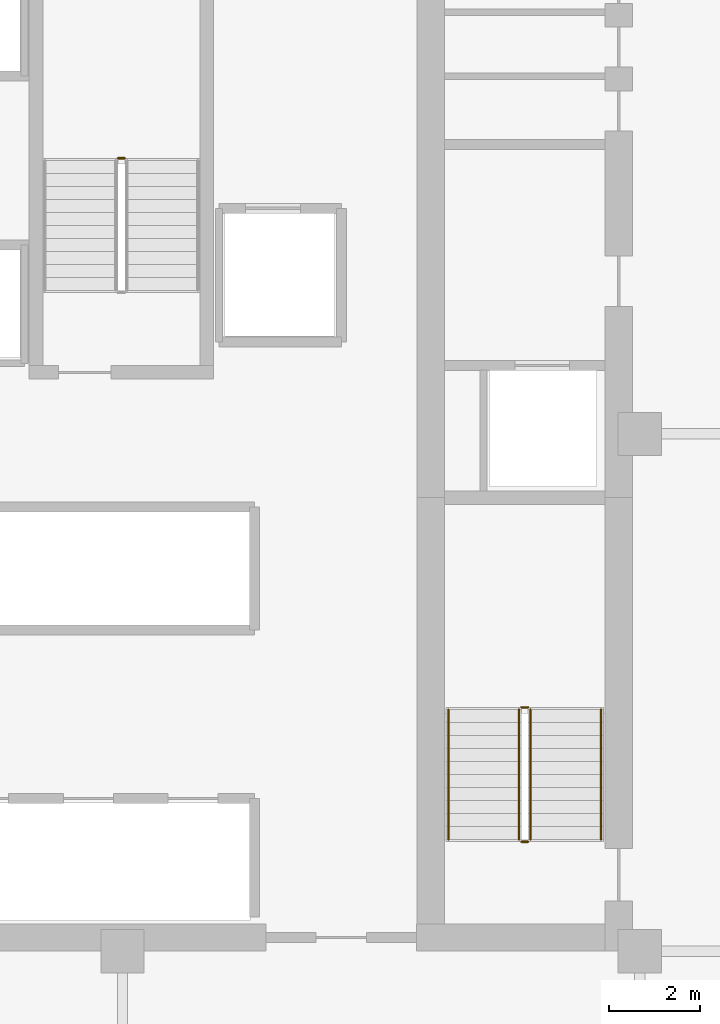
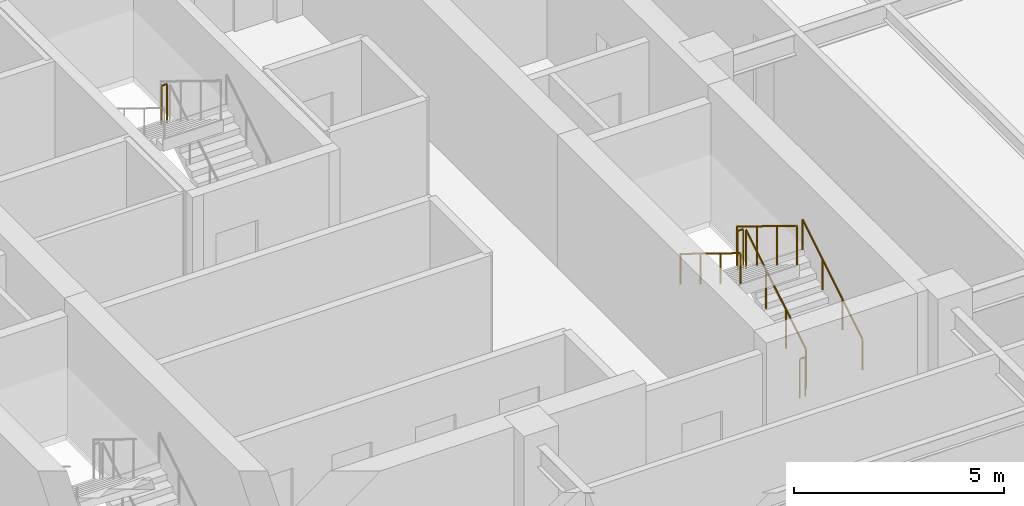
# One storey, part 14 of 14: 7 railings.
"""IFC4 building model written with IfcOpenShell, lengths in metres."""

from ifc_helpers import new_model, si_unit, direction, frame, origin, origin_2d, place, context, subcontext, project, spatial, circle, extrude, material, type_object, element, save


model = new_model("IFC4")

# Units and contexts
model_context = context("Model", 3, precision=1e-05, world=origin(), true_north=direction((0.0, 1.0)))
body_context = subcontext(model_context, "Body", "Model", "MODEL_VIEW")
ifc_project = project(units=[si_unit("LENGTHUNIT", "METRE"), si_unit("AREAUNIT", "SQUARE_METRE"), si_unit("VOLUMEUNIT", "CUBIC_METRE"), si_unit("PLANEANGLEUNIT", "RADIAN"), si_unit("MASSUNIT", "GRAM", prefix="KILO")], contexts=[model_context])

# Site, building, storey
site_placement = place(None, origin())
site = spatial("IfcSite", under=ifc_project, at=site_placement, CompositionType="ELEMENT")
building_placement = place(site_placement, origin())
building = spatial("IfcBuilding", under=site, at=building_placement, Name="Nhamokura Convention Tower", CompositionType="ELEMENT")
storey_placement = place(building_placement, frame((0.0, 0.0, 172.199951171875)))
storey = spatial("IfcBuildingStorey", under=building, at=storey_placement, Name="L42", CompositionType="ELEMENT", Elevation=172.199951171875)

# Railings
ifc_material_1 = material(Name="Anodised bronze stainless steel", Category="steel")
railing_type_1 = type_object("IfcRailingType", Name="StairWallHandrail_900", PredefinedType="HANDRAIL", material=ifc_material_1)
railing_1_placement = place(storey_placement, frame((42.5, 23.10009765625, 0.175048828125)))
element("IfcRailing", 1, at=railing_1_placement, inside=storey, type_object=railing_type_1, Name="L42 ST-02 stair handrail 1", PredefinedType="HANDRAIL", context=body_context, shape_type="SweptSolid", body=[
    extrude(circle(Radius=0.02392578125, at=origin_2d()), frame((0.0, 0.0, 0.8759765625), z_axis=(0.0, 0.852159232446, 0.523282564737), x_axis=(-1.0, 0.0, 0.0)), (0.0, 0.0, 1.0), 3.34423828125),
    extrude(circle(Radius=0.02099609375, at=origin_2d()), origin(), (0.0, 0.0, 1.0), 0.851806640625),
    extrude(circle(Radius=0.02099609375, at=origin_2d()), frame((0.0, 0.949951171875, 0.583251953125)), (0.0, 0.0, 1.0), 0.851806640625),
    extrude(circle(Radius=0.02099609375, at=origin_2d()), frame((0.0, 1.89990234375, 1.166748046875)), (0.0, 0.0, 1.0), 0.851806640625),
    extrude(circle(Radius=0.02099609375, at=origin_2d()), frame((0.0, 2.849853515625, 1.75)), (0.0, 0.0, 1.0), 0.851806640625),
])
railing_2_placement = place(storey_placement, frame((39.14990234375, 25.949951171875, 2.10009765625)))
element("IfcRailing", 2, at=railing_2_placement, inside=storey, type_object=railing_type_1, Name="L42 ST-02 stair handrail 2", PredefinedType="HANDRAIL", context=body_context, shape_type="SweptSolid", body=[
    extrude(circle(Radius=0.02392578125, at=origin_2d()), frame((0.0, 0.0, 0.8759765625), z_axis=(0.0, -0.852159232446, 0.523282564737), x_axis=(1.0, 0.0, 0.0)), (0.0, 0.0, 1.0), 3.34423828125),
    extrude(circle(Radius=0.02099609375, at=origin_2d()), origin(), (0.0, 0.0, 1.0), 0.851806640625),
    extrude(circle(Radius=0.02099609375, at=origin_2d()), frame((0.0, -0.949951171875, 0.583251953125)), (0.0, 0.0, 1.0), 0.851806640625),
    extrude(circle(Radius=0.02099609375, at=origin_2d()), frame((0.0, -1.89990234375, 1.166748046875)), (0.0, 0.0, 1.0), 0.851806640625),
    extrude(circle(Radius=0.02099609375, at=origin_2d()), frame((0.0, -2.849853515625, 1.75)), (0.0, 0.0, 1.0), 0.851806640625),
])
ifc_material_2 = material(Name="Painted tubular steel", Category="steel")
railing_type_2 = type_object("IfcRailingType", Name="StairWellGuardrail_1150", PredefinedType="GUARDRAIL", material=ifc_material_2)
railing_3_placement = place(storey_placement, frame((40.949951171875, 23.10009765625, 0.175048828125)))
element("IfcRailing", 3, at=railing_3_placement, inside=storey, type_object=railing_type_2, Name="L42 ST-02 stair guard 1", PredefinedType="GUARDRAIL", context=body_context, shape_type="SweptSolid", body=[
    extrude(circle(Radius=0.02392578125, at=origin_2d()), frame((0.0, 0.0, 1.1259765625), z_axis=(0.0, 0.852159232446, 0.523282564737), x_axis=(-1.0, 0.0, 0.0)), (0.0, 0.0, 1.0), 3.34423828125),
    extrude(circle(Radius=0.02099609375, at=origin_2d()), origin(), (0.0, 0.0, 1.0), 1.101806640625),
    extrude(circle(Radius=0.02099609375, at=origin_2d()), frame((0.0, 0.949951171875, 0.583251953125)), (0.0, 0.0, 1.0), 1.101806640625),
    extrude(circle(Radius=0.02099609375, at=origin_2d()), frame((0.0, 1.89990234375, 1.166748046875)), (0.0, 0.0, 1.0), 1.101806640625),
    extrude(circle(Radius=0.02099609375, at=origin_2d()), frame((0.0, 2.849853515625, 1.75)), (0.0, 0.0, 1.0), 1.101806640625),
])
railing_4_placement = place(storey_placement, frame((40.89990234375, 26.0, 1.925048828125)))
element("IfcRailing", 4, at=railing_4_placement, inside=storey, type_object=railing_type_2, Name="L42 ST-02 stair guard 2", PredefinedType="GUARDRAIL", context=body_context, shape_type="SweptSolid", body=[
    extrude(circle(Radius=0.02392578125, at=origin_2d()), frame((0.0, 0.0, 1.1259765625), z_axis=(-1.0, 0.0, 0.0), x_axis=(0.0, -1.0, 0.0)), (0.0, 0.0, 1.0), 0.14990234375),
    extrude(circle(Radius=0.02099609375, at=origin_2d()), origin(), (0.0, 0.0, 1.0), 1.101806640625),
    extrude(circle(Radius=0.02099609375, at=origin_2d()), frame((-0.14990234375, 0.0, 0.0)), (0.0, 0.0, 1.0), 1.101806640625),
])
railing_5_placement = place(storey_placement, frame((40.699951171875, 25.949951171875, 2.10009765625)))
element("IfcRailing", 5, at=railing_5_placement, inside=storey, type_object=railing_type_2, Name="L42 ST-02 stair guard 3", PredefinedType="GUARDRAIL", context=body_context, shape_type="SweptSolid", body=[
    extrude(circle(Radius=0.02392578125, at=origin_2d()), frame((0.0, 0.0, 1.1259765625), z_axis=(0.0, -0.852159232446, 0.523282564737), x_axis=(1.0, 0.0, 0.0)), (0.0, 0.0, 1.0), 3.34423828125),
    extrude(circle(Radius=0.02099609375, at=origin_2d()), origin(), (0.0, 0.0, 1.0), 1.101806640625),
    extrude(circle(Radius=0.02099609375, at=origin_2d()), frame((0.0, -0.949951171875, 0.583251953125)), (0.0, 0.0, 1.0), 1.101806640625),
    extrude(circle(Radius=0.02099609375, at=origin_2d()), frame((0.0, -1.89990234375, 1.166748046875)), (0.0, 0.0, 1.0), 1.101806640625),
    extrude(circle(Radius=0.02099609375, at=origin_2d()), frame((0.0, -2.849853515625, 1.75)), (0.0, 0.0, 1.0), 1.101806640625),
])
railing_6_placement = place(storey_placement, frame((40.89990234375, 23.050048828125, 0.0)))
element("IfcRailing", 6, at=railing_6_placement, inside=storey, type_object=railing_type_2, Name="L42 ST-02 stair guard 4", PredefinedType="GUARDRAIL", context=body_context, shape_type="SweptSolid", body=[
    extrude(circle(Radius=0.02392578125, at=origin_2d()), frame((0.0, 0.0, 1.1259765625), z_axis=(-1.0, 0.0, 0.0), x_axis=(0.0, -1.0, 0.0)), (0.0, 0.0, 1.0), 0.14990234375),
    extrude(circle(Radius=0.02099609375, at=origin_2d()), origin(), (0.0, 0.0, 1.0), 1.101806640625),
    extrude(circle(Radius=0.02099609375, at=origin_2d()), frame((-0.14990234375, 0.0, 0.0)), (0.0, 0.0, 1.0), 1.101806640625),
])
railing_7_placement = place(storey_placement, frame((32.050048828125, 38.050048828125, 1.925048828125)))
element("IfcRailing", 7, at=railing_7_placement, inside=storey, type_object=railing_type_2, Name="L42 ST-03 stair guard 2", PredefinedType="GUARDRAIL", context=body_context, shape_type="SweptSolid", body=[
    extrude(circle(Radius=0.02392578125, at=origin_2d()), frame((0.0, 0.0, 1.1259765625), z_axis=(-1.0, 0.0, 0.0), x_axis=(0.0, -1.0, 0.0)), (0.0, 0.0, 1.0), 0.150146484375),
    extrude(circle(Radius=0.02099609375, at=origin_2d()), origin(), (0.0, 0.0, 1.0), 1.101806640625),
    extrude(circle(Radius=0.02099609375, at=origin_2d()), frame((-0.150146484375, 0.0, 0.0)), (0.0, 0.0, 1.0), 1.101806640625),
])

save(model, "model.ifc")
